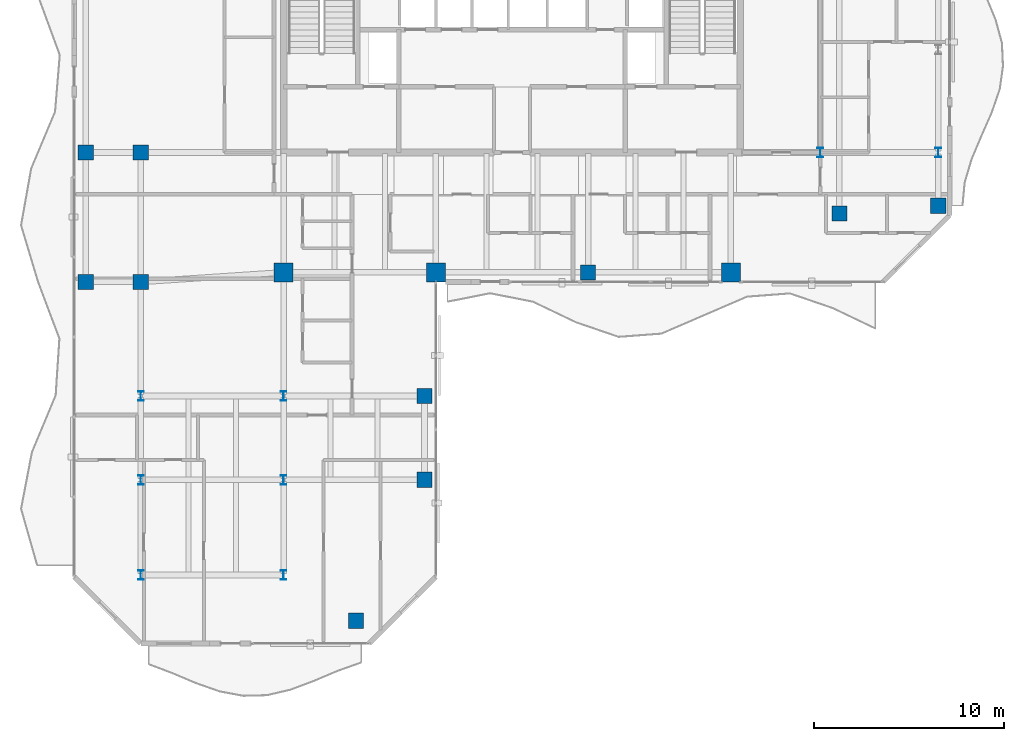
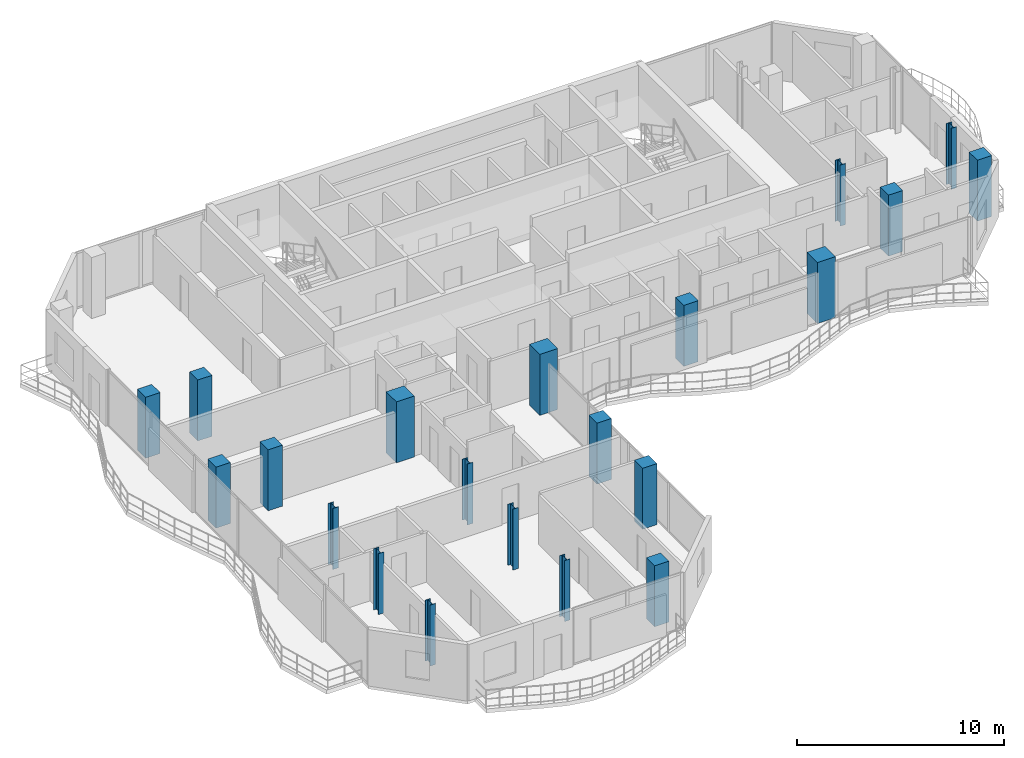
# One storey, part 1 of 23: 21 columns.
"""IFC4 building model written with IfcOpenShell, lengths in metres."""

from ifc_helpers import new_model, si_unit, direction, frame, origin, origin_2d, place, context, subcontext, project, spatial, rectangle, i_section, extrude, material, material_profile, profile_set, type_object, element, save


model = new_model("IFC4")

# Units and contexts
model_context = context("Model", 3, precision=1e-05, world=origin(), true_north=direction((0.0, 1.0)))
body_context = subcontext(model_context, "Body", "Model", "MODEL_VIEW")
ifc_project = project(units=[si_unit("LENGTHUNIT", "METRE"), si_unit("AREAUNIT", "SQUARE_METRE"), si_unit("VOLUMEUNIT", "CUBIC_METRE"), si_unit("PLANEANGLEUNIT", "RADIAN"), si_unit("MASSUNIT", "GRAM", prefix="KILO")], contexts=[model_context])

# Site, building, storey
site_placement = place(None, origin())
site = spatial("IfcSite", under=ifc_project, at=site_placement, CompositionType="ELEMENT")
building_placement = place(site_placement, origin())
building = spatial("IfcBuilding", under=site, at=building_placement, Name="Catumbela Crestline Tower", CompositionType="ELEMENT")
storey_placement = place(building_placement, frame((0.0, 0.0, 175.8)))
storey = spatial("IfcBuildingStorey", under=building, at=storey_placement, Name="L45", CompositionType="ELEMENT", Elevation=175.8)

# Columns
ifc_material_1 = material(Name="Concrete C50/60", Category="concrete")
ifc_material_profile_1 = material_profile(ifc_material_1, rectangle(XDim=1.0, YDim=1.0, at=origin_2d()), Name="RC 1000x1000")
ifc_profile_set_1 = profile_set([ifc_material_profile_1], Name="Concrete C50/60")
column_type_1 = type_object("IfcColumnType", Name="C-RC1000-C50", PredefinedType="COLUMN", material=ifc_profile_set_1)
for number, where, z_axis, x_axis, name in (
    (1, (16.0, 24.5, 0.0), (0.0, 0.0, 1.0), (1.0, 0.0, 0.0), "L45 Column C-16-24 (RC 1000x1000)"),
    (2, (24.0, 24.5, 0.0), (0.0, 0.0, 1.0), (1.0, 0.0, 0.0), "L45 Column C-24-24 (RC 1000x1000)"),
    (3, (39.5, 24.5, 0.0), (0.0, 0.0, 1.0), (1.0, 0.0, 0.0), "L45 Column C-40-24 (RC 1000x1000)"),
):
    element("IfcColumn", number, at=place(storey_placement, frame(where, z_axis=z_axis, x_axis=x_axis)), inside=storey, type_object=column_type_1, Name=name, PredefinedType="COLUMN", context=body_context, shape_type="SweptSolid", body=[
        extrude(rectangle(XDim=1.0, YDim=1.0, at=origin_2d()), origin(), (0.0, 0.0, 1.0), 3.6),
    ])
ifc_material_profile_2 = material_profile(ifc_material_1, rectangle(XDim=0.8, YDim=0.8, at=origin_2d()), Name="RC 800x800")
ifc_profile_set_2 = profile_set([ifc_material_profile_2], Name="Concrete C50/60")
column_type_2 = type_object("IfcColumnType", Name="C-RC800-C50", PredefinedType="COLUMN", material=ifc_profile_set_2)
for number, where, z_axis, x_axis, name in (
    (4, (8.5, 24.0, 0.0), (0.0, 0.0, 1.0), (1.0, 0.0, 0.0), "L45 Column C-08-24 (RC 800x800)"),
    (5, (32.0, 24.5, 0.0), (0.0, 0.0, 1.0), (1.0, 0.0, 0.0), "L45 Column C-32-24 (RC 800x800)"),
    (6, (5.6, 24.0, 0.0), (0.0, 0.0, 1.0), (1.0, 0.0, 0.0), "L45 Column C-05-24 (RC 800x800)"),
    (7, (5.6, 30.8, 0.0), (0.0, 0.0, 1.0), (1.0, 0.0, 0.0), "L45 Column C-05-31 (RC 800x800)"),
    (8, (8.5, 30.8, 0.0), (0.0, 0.0, 1.0), (1.0, 0.0, 0.0), "L45 Column C-08-31 (RC 800x800)"),
    (9, (45.2, 27.6, 0.0), (0.0, 0.0, 1.0), (1.0, 0.0, 0.0), "L45 Column C-46-24 (RC 800x800)"),
    (10, (50.4, 28.0, 0.0), (0.0, 0.0, 1.0), (1.0, 0.0, 0.0), "L45 Column C-51-24 (RC 800x800)"),
    (11, (19.8, 6.2, 0.0), (0.0, 0.0, 1.0), (1.0, 0.0, 0.0), "L45 Column C-24-05 (RC 800x800)"),
    (12, (23.4, 13.6, 0.0), (0.0, 0.0, 1.0), (1.0, 0.0, 0.0), "L45 Column C-24-10 (RC 800x800)"),
    (13, (23.4, 18.0, 0.0), (0.0, 0.0, 1.0), (1.0, 0.0, 0.0), "L45 Column C-24-16 (RC 800x800)"),
):
    element("IfcColumn", number, at=place(storey_placement, frame(where, z_axis=z_axis, x_axis=x_axis)), inside=storey, type_object=column_type_2, Name=name, PredefinedType="COLUMN", context=body_context, shape_type="SweptSolid", body=[
        extrude(rectangle(XDim=0.8, YDim=0.8, at=origin_2d()), origin(), (0.0, 0.0, 1.0), 3.6),
    ])
ifc_material_2 = material(Name="Structural steel S355J2", Category="steel")
ifc_material_profile_3 = material_profile(ifc_material_2, i_section(OverallWidth=0.3, OverallDepth=0.5, WebThickness=0.0145, FlangeThickness=0.028, FilletRadius=0.027, at=origin_2d()), Name="HEB 500")
ifc_profile_set_3 = profile_set([ifc_material_profile_3], Name="Structural steel S355J2")
column_type_3 = type_object("IfcColumnType", Name="C-ST-HEB500", PredefinedType="COLUMN", material=ifc_profile_set_3)
for number, where, z_axis, x_axis, name in (
    (14, (8.5, 8.6, 0.0), (0.0, 0.0, 1.0), (1.0, 0.0, 0.0), "L45 Column CT-05-05 (HEB 500)"),
    (15, (16.0, 8.6, 0.0), (0.0, 0.0, 1.0), (1.0, 0.0, 0.0), "L45 Column CT-14-05 (HEB 500)"),
    (16, (8.5, 13.6, 0.0), (0.0, 0.0, 1.0), (1.0, 0.0, 0.0), "L45 Column CT-05-10 (HEB 500)"),
    (17, (16.0, 13.6, 0.0), (0.0, 0.0, 1.0), (1.0, 0.0, 0.0), "L45 Column CT-14-10 (HEB 500)"),
    (18, (8.5, 18.0, 0.0), (0.0, 0.0, 1.0), (1.0, 0.0, 0.0), "L45 Column CT-05-16 (HEB 500)"),
    (19, (16.0, 18.0, 0.0), (0.0, 0.0, 1.0), (1.0, 0.0, 0.0), "L45 Column CT-14-16 (HEB 500)"),
    (20, (44.2, 30.8, 0.0), (0.0, 0.0, 1.0), (1.0, 0.0, 0.0), "L45 Column CT-46-31 (HEB 500)"),
    (21, (50.4, 30.8, 0.0), (0.0, 0.0, 1.0), (1.0, 0.0, 0.0), "L45 Column CT-51-31 (HEB 500)"),
):
    element("IfcColumn", number, at=place(storey_placement, frame(where, z_axis=z_axis, x_axis=x_axis)), inside=storey, type_object=column_type_3, Name=name, PredefinedType="COLUMN", context=body_context, shape_type="SweptSolid", body=[
        extrude(i_section(OverallWidth=0.3, OverallDepth=0.5, WebThickness=0.0145, FlangeThickness=0.028, FilletRadius=0.027, at=origin_2d()), origin(), (0.0, 0.0, 1.0), 3.6),
    ])

save(model, "model.ifc")
